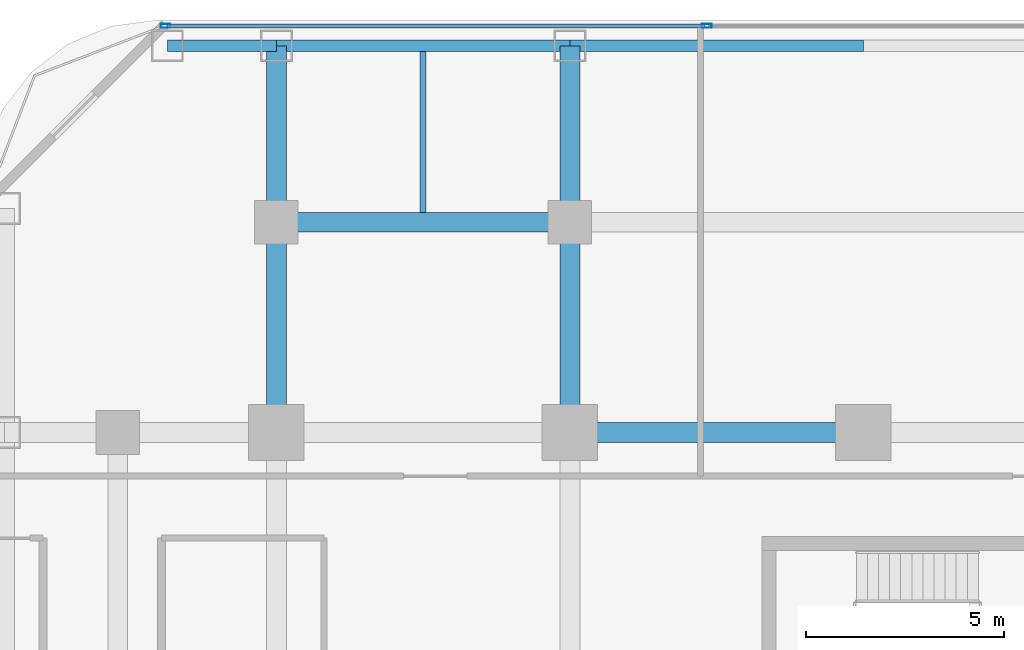
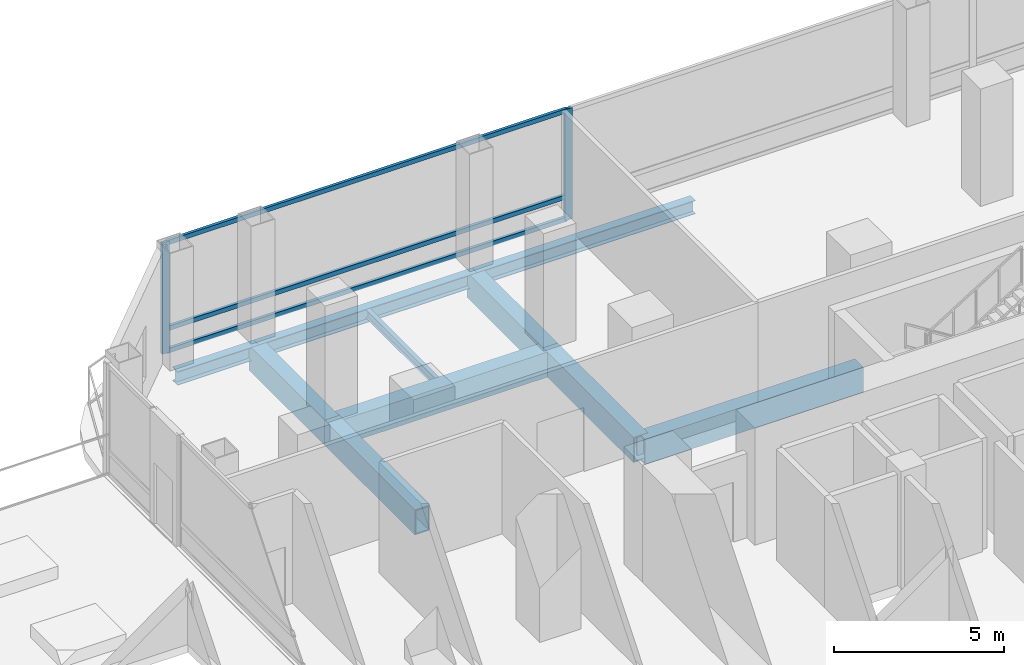
# One storey, part 15 of 29: 10 beams, 5 members, 1 element without a shape of its own.
"""IFC4 building model written with IfcOpenShell, lengths in metres."""

import ifcopenshell
import ifcopenshell.guid

model = None  # the IFC model being written
_history = None  # IfcOwnerHistory: only IFC2X3 demands one
_inside = {}  # id of a spatial element -> (the spatial element, [elements in it])
_under = {}  # id of a project, library or spatial element -> (it, [spatial elements below it])
_declared = {}  # id of a project -> (the project, [libraries it declares])
_typed = {}  # id of a type object -> (the type object, [elements of that type])
_made_of = {}  # id of a material, layer set ... -> (it, [elements and type objects made of it])


def new_model(schema):
    """Start an empty IFC model of exactly this schema.

    Asked for "IFC4X3", IfcOpenShell would pick the latest addendum, in which some entities
    have other attributes; the version numbers below select the first issue.
    IFC2X3 requires an IfcOwnerHistory on every rooted entity: one is made here for all.
    """
    global model, _history
    if schema == "IFC4X3":
        model = ifcopenshell.file(schema_version=(4, 3, 0, 0))
    else:
        model = ifcopenshell.file(schema=schema)
    _inside.clear()
    _under.clear()
    _declared.clear()
    _typed.clear()
    _made_of.clear()
    _history = None
    if model.schema == "IFC2X3":
        org = make("IfcOrganization", Name="unknown")
        user = make(
            "IfcPersonAndOrganization",
            ThePerson=make("IfcPerson", FamilyName="unknown"),
            TheOrganization=org,
        )
        app = make(
            "IfcApplication",
            ApplicationDeveloper=org,
            Version="unknown",
            ApplicationFullName="unknown",
            ApplicationIdentifier="unknown",
        )
        _history = make(
            "IfcOwnerHistory",
            OwningUser=user,
            OwningApplication=app,
            ChangeAction="ADDED",
            CreationDate=0,
        )
    return model


def make(cls, **values):
    """One entity of the class cls with the attributes given. An attribute that is None is left unset."""
    return model.create_entity(
        cls, **{name: value for name, value in values.items() if value is not None}
    )


def rooted(cls, **values):
    """An entity with a GlobalId (a new one), such as an element, a storey or a relation."""
    return make(cls, GlobalId=ifcopenshell.guid.new(), OwnerHistory=_history, **values)


def si_unit(unit_type, name, prefix=None):
    """IfcSIUnit, for example si_unit("LENGTHUNIT", "METRE", prefix="MILLI")."""
    return make("IfcSIUnit", UnitType=unit_type, Prefix=prefix, Name=name)


def assignment(units):
    """IfcUnitAssignment: the units of a project."""
    return None if units is None else make("IfcUnitAssignment", Units=units)


def point(xyz):
    """IfcCartesianPoint."""
    return None if xyz is None else make("IfcCartesianPoint", Coordinates=xyz)


def direction(xyz):
    """IfcDirection."""
    return None if xyz is None else make("IfcDirection", DirectionRatios=xyz)


def frame(location, z_axis=None, x_axis=None):
    """IfcAxis2Placement3D, a coordinate frame: its origin and axes. An axis left out is left unset."""
    return make(
        "IfcAxis2Placement3D",
        Location=point(location),
        Axis=direction(z_axis),
        RefDirection=direction(x_axis),
    )


def frame_2d(location, x_axis=None):
    """IfcAxis2Placement2D, a coordinate frame in the plane: its origin and x axis."""
    return make(
        "IfcAxis2Placement2D", Location=point(location), RefDirection=direction(x_axis)
    )


def origin():
    """The frame at (0, 0, 0) with its axes left unset."""
    return frame((0.0, 0.0, 0.0))


def origin_2d():
    """The frame at (0, 0) in the plane with its x axis left unset."""
    return frame_2d((0.0, 0.0))


def place(relative_to, where):
    """IfcLocalPlacement: puts the frame where relative to a parent placement (None: the world)."""
    return make(
        "IfcLocalPlacement", PlacementRelTo=relative_to, RelativePlacement=where
    )


def context(
    kind, dimensions, precision=None, world=None, true_north=None, identifier=None
):
    """IfcGeometricRepresentationContext, for example the 3D "Model" context."""
    return make(
        "IfcGeometricRepresentationContext",
        ContextIdentifier=identifier,
        ContextType=kind,
        CoordinateSpaceDimension=dimensions,
        Precision=precision,
        WorldCoordinateSystem=world,
        TrueNorth=true_north,
    )


def subcontext(parent, identifier, kind, view, scale=None):
    """IfcGeometricRepresentationSubContext, for example "Body" below "Model"."""
    return make(
        "IfcGeometricRepresentationSubContext",
        ContextIdentifier=identifier,
        ContextType=kind,
        ParentContext=parent,
        TargetScale=scale,
        TargetView=view,
    )


def project(units=None, contexts=None):
    """IfcProject with its units and contexts."""
    return rooted(
        "IfcProject",
        Name="project",
        RepresentationContexts=contexts,
        UnitsInContext=assignment(units),
    )


def spatial(cls, under=None, at=None, **own):
    """A site, building, storey or space (cls), placed at a placement, below another one or the project."""
    s = rooted(cls, ObjectPlacement=at, **own)
    if under is not None:
        _under.setdefault(under.id(), (under, []))[1].append(s)
    return s


def profile(cls, at=None, kind="AREA", **sizes):
    """A parametric profile (cls). Its sizes go by their IFC names, for example OverallWidth=200.0."""
    return make(cls, ProfileType=kind, Position=at, **sizes)


def hollow_rectangle(**sizes):
    """IfcRectangleHollowProfileDef."""
    return profile("IfcRectangleHollowProfileDef", **sizes)


def i_section(**sizes):
    """IfcIShapeProfileDef."""
    return profile("IfcIShapeProfileDef", **sizes)


def extrude(swept, where, along, depth):
    """IfcExtrudedAreaSolid: the profile swept, set in the frame where, extruded along a direction by depth."""
    return make(
        "IfcExtrudedAreaSolid",
        SweptArea=swept,
        Position=where,
        ExtrudedDirection=direction(along),
        Depth=depth,
    )


def shape(context_of_items, identifier, shape_type, items):
    """IfcShapeRepresentation: the items that make up one representation, for example the "Body"."""
    return make(
        "IfcShapeRepresentation",
        ContextOfItems=context_of_items,
        RepresentationIdentifier=identifier,
        RepresentationType=shape_type,
        Items=items,
    )


def material(Name=None, Category=None):
    """IfcMaterial."""
    return make("IfcMaterial", Name=Name, Category=Category)


def layer(
    of_material, thickness, ventilated=None, Name=None, Category=None, Priority=None
):
    """IfcMaterialLayer: one layer of a wall or slab, of a material (None: an air gap)."""
    return make(
        "IfcMaterialLayer",
        Material=of_material,
        LayerThickness=thickness,
        IsVentilated=ventilated,
        Name=Name,
        Category=Category,
        Priority=Priority,
    )


def layer_set(layers, Name=None):
    """IfcMaterialLayerSet."""
    return make("IfcMaterialLayerSet", MaterialLayers=layers, LayerSetName=Name)


def material_profile(
    of_material, cross_section, Name=None, Category=None, Priority=None
):
    """IfcMaterialProfile: a cross section and its material."""
    return make(
        "IfcMaterialProfile",
        Name=Name,
        Material=of_material,
        Profile=cross_section,
        Priority=Priority,
        Category=Category,
    )


def profile_set(profiles, Name=None, composite=None):
    """IfcMaterialProfileSet."""
    return make(
        "IfcMaterialProfileSet",
        Name=Name,
        MaterialProfiles=profiles,
        CompositeProfile=composite,
    )


def made_of(thing, what):
    """Note that an element or type object is made of a material, layer set ...; save() writes the relation."""
    if what is not None:
        _made_of.setdefault(what.id(), (what, []))[1].append(thing)
    return thing


def type_object(cls, material=None, **own):
    """A type object (cls), such as IfcWallType, which elements share."""
    return made_of(rooted(cls, **own), material)


def element(
    cls,
    number,
    at=None,
    inside=None,
    cuts=None,
    type_object=None,
    material=None,
    context=None,
    identifier="Body",
    shape_type=None,
    held_by="IfcProductDefinitionShape",
    body=None,
    shapes=None,
    **own,
):
    """One element of the class cls, such as IfcWall. Its Tag is "e" and its number.

    at: its placement. inside: the storey or other place that contains it. cuts: it is an
    opening in that element (IfcRelVoidsElement). A single representation is given by context,
    identifier, shape_type and body (its items); several are given by shapes. held_by: the class
    of the entity that holds the representations. save() writes the other relations.
    """
    e = rooted(cls, Tag="e%d" % number, ObjectPlacement=at, **own)
    if body is not None:
        shapes = [shape(context, identifier, shape_type, body)]
    if shapes is not None:
        e.Representation = make(held_by, Representations=shapes)
    if inside is not None:
        _inside.setdefault(inside.id(), (inside, []))[1].append(e)
    if cuts is not None:
        rooted(
            "IfcRelVoidsElement", RelatingBuildingElement=cuts, RelatedOpeningElement=e
        )
    if type_object is not None:
        _typed.setdefault(type_object.id(), (type_object, []))[1].append(e)
    return made_of(e, material)


def aggregate(whole, parts):
    """IfcRelAggregates: a whole, such as a stair, and the parts it consists of."""
    return rooted("IfcRelAggregates", RelatingObject=whole, RelatedObjects=parts)


def save(model, path):
    """Write the relations noted so far, then the file.

    IfcRelAggregates (storeys below a building ...), IfcRelContainedInSpatialStructure (elements
    in a storey), IfcRelDefinesByType, IfcRelAssociatesMaterial and IfcRelDeclares: one each for
    every whole, place, type object, material and project.
    """
    for whole, parts in _under.values():
        aggregate(whole, parts)
    for where, things in _inside.values():
        rooted(
            "IfcRelContainedInSpatialStructure",
            RelatedElements=things,
            RelatingStructure=where,
        )
    for kind, things in _typed.values():
        rooted("IfcRelDefinesByType", RelatedObjects=things, RelatingType=kind)
    for what, things in _made_of.values():
        rooted("IfcRelAssociatesMaterial", RelatedObjects=things, RelatingMaterial=what)
    for by, libraries in _declared.values():
        rooted("IfcRelDeclares", RelatingContext=by, RelatedDefinitions=libraries)
    model.write(path)


model = new_model("IFC4")

# Units and contexts
model_context = context("Model", 3, precision=1e-05, world=origin(), true_north=direction((0.0, 1.0)))
body_context = subcontext(model_context, "Body", "Model", "MODEL_VIEW")
ifc_project = project(units=[si_unit("LENGTHUNIT", "METRE"), si_unit("AREAUNIT", "SQUARE_METRE"), si_unit("VOLUMEUNIT", "CUBIC_METRE"), si_unit("PLANEANGLEUNIT", "RADIAN"), si_unit("MASSUNIT", "GRAM", prefix="KILO")], contexts=[model_context])

# Site, building, storey
site_placement = place(None, origin())
site = spatial("IfcSite", under=ifc_project, at=site_placement, CompositionType="ELEMENT")
building_placement = place(site_placement, origin())
building = spatial("IfcBuilding", under=site, at=building_placement, Name="Khorvyn Point Tower", CompositionType="ELEMENT")
storey_placement = place(building_placement, frame((0.0, 0.0, 26.39990234375)))
storey = spatial("IfcBuildingStorey", under=building, at=storey_placement, Name="L07", CompositionType="ELEMENT", Elevation=26.39990234375)

# Curtain wall, members
ifc_material_1 = material(Name="Anodised aluminium 6063-T6 and laminated Low-E glass", Category="aluminium")
ifc_layer = layer(ifc_material_1, 0.18994140625)
ifc_layer_set = layer_set([ifc_layer], Name="Stick-Built Finned Residential Curtain Wall CW-SYS-02")
curtain_wall_type = type_object("IfcCurtainWallType", Name="Stick-Built Finned Residential Curtain Wall CW-SYS-02", PredefinedType="NOTDEFINED", material=ifc_layer_set)
curtain_wall_placement = place(storey_placement, origin())
curtain_wall = element("IfcCurtainWall", 1, at=curtain_wall_placement, inside=storey, type_object=curtain_wall_type, Name="Curtain Wall", PredefinedType="NOTDEFINED")
ifc_material_2 = material(Name="Anodised aluminium 6063-T6", Category="aluminium")
ifc_material_profile_1 = material_profile(ifc_material_2, hollow_rectangle(XDim=0.10009765625, YDim=0.239990234375, WallThickness=0.0048828125, at=origin_2d()))
ifc_profile_set_1 = profile_set([ifc_material_profile_1], Name="Anodised aluminium 6063-T6 ALU-MUL-100x240")
member_type_1 = type_object("IfcMemberType", Name="Anodised Aluminium 6063-T6 Mullion ALU-MUL-100x240", PredefinedType="MULLION", material=ifc_profile_set_1)
member_1_placement = place(storey_placement, frame((-17.60009765625, 25.050048828125, 0.0), z_axis=(0.0, 0.0, 1.0), x_axis=(0.0, 1.0, 0.0)))
member_1 = element("IfcMember", 2, at=member_1_placement, type_object=member_type_1, Name="Transom", PredefinedType="MULLION", context=body_context, shape_type="SweptSolid", body=[
    extrude(hollow_rectangle(XDim=0.10009765625, YDim=0.239990234375, WallThickness=0.0048828125, at=origin_2d()), origin(), (0.0, 0.0, 1.0), 3.97998046875),
])
member_2_placement = place(storey_placement, frame((-3.949951171875, 25.050048828125, 0.0), z_axis=(0.0, 0.0, 1.0), x_axis=(0.0, 1.0, 0.0)))
member_2 = element("IfcMember", 3, at=member_2_placement, type_object=member_type_1, Name="Transom", PredefinedType="MULLION", context=body_context, shape_type="SweptSolid", body=[
    extrude(hollow_rectangle(XDim=0.10009765625, YDim=0.239990234375, WallThickness=0.0048828125, at=origin_2d()), origin(), (0.0, 0.0, 1.0), 3.97998046875),
])
ifc_material_profile_2 = material_profile(ifc_material_2, hollow_rectangle(XDim=0.10009765625, YDim=0.159912109375, WallThickness=0.00439453125, at=origin_2d()))
ifc_profile_set_2 = profile_set([ifc_material_profile_2], Name="Anodised aluminium 6063-T6 ALU-TRN-100x160")
member_type_2 = type_object("IfcMemberType", Name="Anodised Aluminium 6063-T6 Transom ALU-TRN-100x160", PredefinedType="USERDEFINED", material=ifc_profile_set_2)
member_3_placement = place(storey_placement, frame((-17.550048828125, 25.050048828125, 0.050048828125), z_axis=(1.0, 0.0, 0.0), x_axis=(0.0, 1.0, 0.0)))
member_3 = element("IfcMember", 4, at=member_3_placement, type_object=member_type_2, Name="Transom", ObjectType="TRANSOM", PredefinedType="USERDEFINED", context=body_context, shape_type="SweptSolid", body=[
    extrude(hollow_rectangle(XDim=0.10009765625, YDim=0.159912109375, WallThickness=0.00439453125, at=origin_2d()), origin(), (0.0, 0.0, 1.0), 13.550048828125),
])
member_4_placement = place(storey_placement, frame((-17.550048828125, 25.050048828125, 0.85009765625), z_axis=(1.0, 0.0, 0.0), x_axis=(0.0, 1.0, 0.0)))
member_4 = element("IfcMember", 5, at=member_4_placement, type_object=member_type_2, Name="Transom", ObjectType="TRANSOM", PredefinedType="USERDEFINED", context=body_context, shape_type="SweptSolid", body=[
    extrude(hollow_rectangle(XDim=0.10009765625, YDim=0.159912109375, WallThickness=0.00439453125, at=origin_2d()), origin(), (0.0, 0.0, 1.0), 13.550048828125),
])
member_5_placement = place(storey_placement, frame((-17.550048828125, 25.050048828125, 3.93017578125), z_axis=(1.0, 0.0, 0.0), x_axis=(0.0, 1.0, 0.0)))
member_5 = element("IfcMember", 6, at=member_5_placement, type_object=member_type_2, Name="Transom", ObjectType="TRANSOM", PredefinedType="USERDEFINED", context=body_context, shape_type="SweptSolid", body=[
    extrude(hollow_rectangle(XDim=0.10009765625, YDim=0.159912109375, WallThickness=0.00439453125, at=origin_2d()), origin(), (0.0, 0.0, 1.0), 13.550048828125),
])
aggregate(curtain_wall, [member_1, member_2, member_3, member_4, member_5])

# Beams
ifc_material_3 = material(Name="Steel S355", Category="steel")
ifc_material_profile_3 = material_profile(ifc_material_3, i_section(OverallWidth=0.14990234375, OverallDepth=0.300048828125, WebThickness=0.006591796875, FlangeThickness=0.009033203125, at=origin_2d()))
ifc_profile_set_3 = profile_set([ifc_material_profile_3], Name="Steel S355 H300x150x6.5x9")
beam_type_1 = type_object("IfcBeamType", Name="Steel S355 Joist H300x150x6.5x9", PredefinedType="JOIST", material=ifc_profile_set_3)
beam_1_placement = place(storey_placement, frame((-11.10009765625, 20.35009765625, -0.469970703125), z_axis=(0.0, 1.0, 0.0), x_axis=(-1.0, 0.0, 0.0)))
element("IfcBeam", 7, at=beam_1_placement, inside=storey, type_object=beam_type_1, Name="Beam", PredefinedType="JOIST", context=body_context, shape_type="SweptSolid", body=[
    extrude(i_section(OverallWidth=0.14990234375, OverallDepth=0.300048828125, WebThickness=0.006591796875, FlangeThickness=0.009033203125, at=origin_2d()), origin(), (0.0, 0.0, 1.0), 4.0498046875),
])
ifc_material_profile_4 = material_profile(ifc_material_3, i_section(OverallWidth=0.300048828125, OverallDepth=0.488037109375, WebThickness=0.010986328125, FlangeThickness=0.01806640625, at=origin_2d()))
ifc_profile_set_4 = profile_set([ifc_material_profile_4], Name="Steel S355 H488x300x11x18")
beam_type_2 = type_object("IfcBeamType", Name="Steel S355 Spandrel H488x300x11x18", PredefinedType="SPANDREL", material=ifc_profile_set_4)
beam_2_placement = place(storey_placement, frame((-17.550048828125, 24.550048828125, -0.56396484375), z_axis=(1.0, 0.0, 0.0), x_axis=(0.0, 1.0, 0.0)))
element("IfcBeam", 8, at=beam_2_placement, inside=storey, type_object=beam_type_2, Name="Beam", PredefinedType="SPANDREL", context=body_context, shape_type="SweptSolid", body=[
    extrude(i_section(OverallWidth=0.300048828125, OverallDepth=0.488037109375, WebThickness=0.010986328125, FlangeThickness=0.01806640625, at=origin_2d()), origin(), (0.0, 0.0, 1.0), 2.75),
])
beam_3_placement = place(storey_placement, frame((-14.800048828125, 24.550048828125, -0.56396484375), z_axis=(1.0, 0.0, 0.0), x_axis=(0.0, 1.0, 0.0)))
element("IfcBeam", 9, at=beam_3_placement, inside=storey, type_object=beam_type_2, Name="Beam", PredefinedType="SPANDREL", context=body_context, shape_type="SweptSolid", body=[
    extrude(i_section(OverallWidth=0.300048828125, OverallDepth=0.488037109375, WebThickness=0.010986328125, FlangeThickness=0.01806640625, at=origin_2d()), origin(), (0.0, 0.0, 1.0), 7.400146484375),
])
beam_4_placement = place(storey_placement, frame((-7.39990234375, 24.550048828125, -0.56396484375), z_axis=(1.0, 0.0, 0.0), x_axis=(0.0, 1.0, 0.0)))
element("IfcBeam", 10, at=beam_4_placement, inside=storey, type_object=beam_type_2, Name="Beam", PredefinedType="SPANDREL", context=body_context, shape_type="SweptSolid", body=[
    extrude(i_section(OverallWidth=0.300048828125, OverallDepth=0.488037109375, WebThickness=0.010986328125, FlangeThickness=0.01806640625, at=origin_2d()), origin(), (0.0, 0.0, 1.0), 7.39990234375),
])
ifc_material_4 = material(Name="Steel S450", Category="steel")
ifc_material_profile_5 = material_profile(ifc_material_4, hollow_rectangle(XDim=0.5, YDim=0.89990234375, WallThickness=0.0400390625, at=origin_2d()))
ifc_profile_set_5 = profile_set([ifc_material_profile_5], Name="Steel S450 BOX900x500x40")
beam_type_3 = type_object("IfcBeamType", Name="Steel S450 Beam BOX900x500x40", PredefinedType="BEAM", material=ifc_profile_set_5)
beam_5_placement = place(storey_placement, frame((-7.39990234375, 14.800048828125, -0.77001953125), z_axis=(1.0, 0.0, 0.0), x_axis=(0.0, 1.0, 0.0)))
element("IfcBeam", 11, at=beam_5_placement, inside=storey, type_object=beam_type_3, Name="L07 Radial Transfer Girder", PredefinedType="BEAM", context=body_context, shape_type="SweptSolid", body=[
    extrude(hollow_rectangle(XDim=0.5, YDim=0.89990234375, WallThickness=0.0400390625, at=origin_2d()), origin(), (0.0, 0.0, 1.0), 7.39990234375),
])
beam_6_placement = place(storey_placement, frame((-14.800048828125, 20.10009765625, -0.77001953125), z_axis=(1.0, 0.0, 0.0), x_axis=(0.0, 1.0, 0.0)))
element("IfcBeam", 12, at=beam_6_placement, inside=storey, type_object=beam_type_3, Name="Beam", PredefinedType="BEAM", context=body_context, shape_type="SweptSolid", body=[
    extrude(hollow_rectangle(XDim=0.5, YDim=0.89990234375, WallThickness=0.0400390625, at=origin_2d()), origin(), (0.0, 0.0, 1.0), 7.400146484375),
])
beam_7_placement = place(storey_placement, frame((-14.800048828125, 14.800048828125, -0.77001953125), z_axis=(0.0, 1.0, 0.0), x_axis=(-1.0, 0.0, 0.0)))
element("IfcBeam", 13, at=beam_7_placement, inside=storey, type_object=beam_type_3, Name="L07 Radial Transfer Girder", PredefinedType="BEAM", context=body_context, shape_type="SweptSolid", body=[
    extrude(hollow_rectangle(XDim=0.5, YDim=0.89990234375, WallThickness=0.0400390625, at=origin_2d()), origin(), (0.0, 0.0, 1.0), 5.300048828125),
])
beam_8_placement = place(storey_placement, frame((-14.800048828125, 20.10009765625, -0.77001953125), z_axis=(0.0, 1.0, 0.0), x_axis=(-1.0, 0.0, 0.0)))
element("IfcBeam", 14, at=beam_8_placement, inside=storey, type_object=beam_type_3, Name="L07 Radial Transfer Girder", PredefinedType="BEAM", context=body_context, shape_type="SweptSolid", body=[
    extrude(hollow_rectangle(XDim=0.5, YDim=0.89990234375, WallThickness=0.0400390625, at=origin_2d()), origin(), (0.0, 0.0, 1.0), 4.449951171875),
])
beam_9_placement = place(storey_placement, frame((-7.39990234375, 14.800048828125, -0.77001953125), z_axis=(0.0, 1.0, 0.0), x_axis=(-1.0, 0.0, 0.0)))
element("IfcBeam", 15, at=beam_9_placement, inside=storey, type_object=beam_type_3, Name="Beam", PredefinedType="BEAM", context=body_context, shape_type="SweptSolid", body=[
    extrude(hollow_rectangle(XDim=0.5, YDim=0.89990234375, WallThickness=0.0400390625, at=origin_2d()), origin(), (0.0, 0.0, 1.0), 5.300048828125),
])
beam_10_placement = place(storey_placement, frame((-7.39990234375, 20.10009765625, -0.77001953125), z_axis=(0.0, 1.0, 0.0), x_axis=(-1.0, 0.0, 0.0)))
element("IfcBeam", 16, at=beam_10_placement, inside=storey, type_object=beam_type_3, Name="Beam", PredefinedType="BEAM", context=body_context, shape_type="SweptSolid", body=[
    extrude(hollow_rectangle(XDim=0.5, YDim=0.89990234375, WallThickness=0.0400390625, at=origin_2d()), origin(), (0.0, 0.0, 1.0), 4.449951171875),
])

save(model, "model.ifc")
